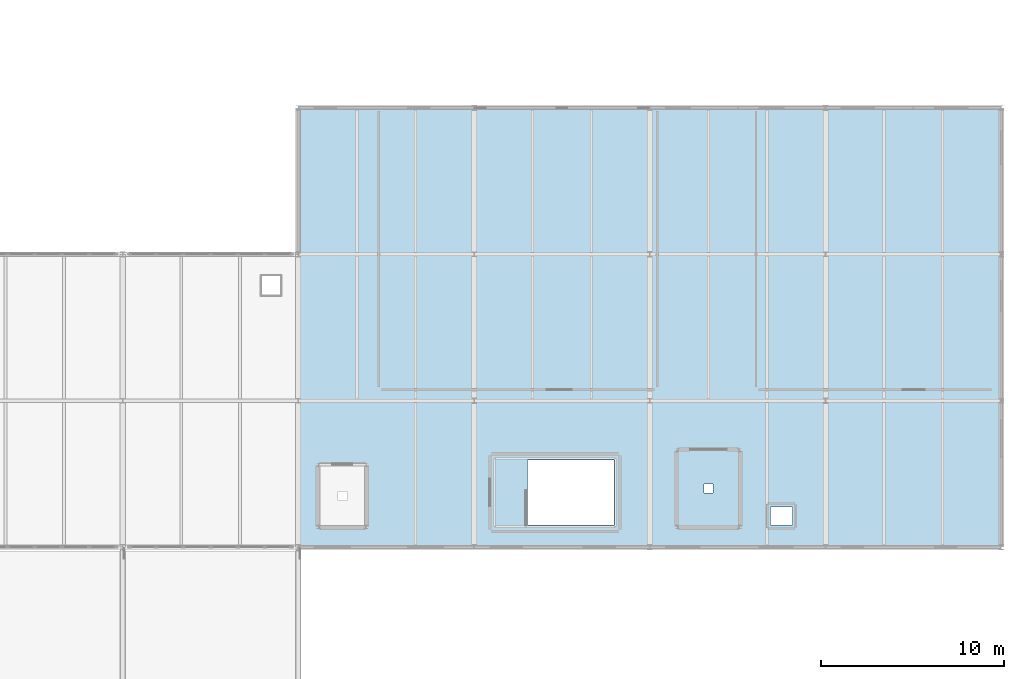
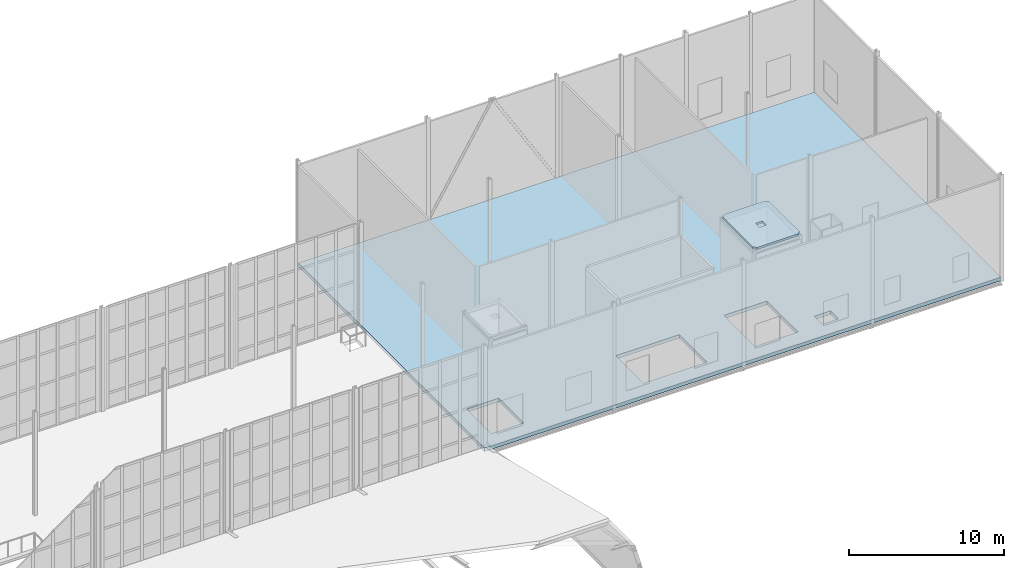
# One storey, part 57 of 73: 2 slabs.
"""IFC4 building model written with IfcOpenShell, lengths in metres."""

from ifc_helpers import new_model, si_unit, direction, frame, origin, place, context, subcontext, project, spatial, polyline, outline, extrude, material, layer, layer_set, type_object, element, save


model = new_model("IFC4")

# Units and contexts
model_context = context("Model", 3, precision=1e-05, world=origin(), true_north=direction((0.0, 1.0)))
body_context = subcontext(model_context, "Body", "Model", "MODEL_VIEW")
ifc_project = project(units=[si_unit("LENGTHUNIT", "METRE"), si_unit("AREAUNIT", "SQUARE_METRE"), si_unit("VOLUMEUNIT", "CUBIC_METRE"), si_unit("PLANEANGLEUNIT", "RADIAN"), si_unit("MASSUNIT", "GRAM", prefix="KILO")], contexts=[model_context])

# Site, building, storey
site_placement = place(None, origin())
site = spatial("IfcSite", under=ifc_project, at=site_placement, CompositionType="ELEMENT")
building_placement = place(site_placement, origin())
building = spatial("IfcBuilding", under=site, at=building_placement, Name="Alderhovde Museum", CompositionType="ELEMENT")
storey_placement = place(building_placement, frame((0.0, 0.0, 17.39990234375)))
storey = spatial("IfcBuildingStorey", under=building, at=storey_placement, Name="L04", CompositionType="ELEMENT", Elevation=17.39990234375)

# Slabs
ifc_material_1 = material(Name="Concrete C35/45", Category="concrete")
ifc_layer_1 = layer(ifc_material_1, 0.159912109375)
ifc_layer_set_1 = layer_set([ifc_layer_1], Name="Concrete C35/45")
slab_type_1 = type_object("IfcSlabType", Name="SLB-CAP-160", PredefinedType="ROOF", material=ifc_layer_set_1)
slab_1_placement = place(storey_placement, frame((0.0, 0.0, 7.66015625)))
element("IfcSlab", 1, at=slab_1_placement, inside=storey, type_object=slab_type_1, Name="Goods Lift Overrun Shaft Cap", PredefinedType="ROOF", context=body_context, shape_type="SweptSolid", body=[
    extrude(outline(polyline([(136.080078125, 73.06005859375), (139.1201171875, 73.06005859375), (139.340087890625, 73.280029296875), (139.340087890625, 77.1201171875), (139.1201171875, 77.340087890625), (136.080078125, 77.340087890625), (135.860107421875, 77.1201171875), (135.860107421875, 73.280029296875), (136.080078125, 73.06005859375)]), holes=[polyline([(137.35009765625, 74.949951171875), (137.85009765625, 74.949951171875), (137.85009765625, 75.449951171875), (137.35009765625, 75.449951171875), (137.35009765625, 74.949951171875)])]), origin(), (0.0, 0.0, 1.0), 0.159912109375),
])
ifc_material_2 = material(Name="Concrete C35/45", Category="concrete")
ifc_layer_2 = layer(ifc_material_2, 0.280029296875)
ifc_layer_set_2 = layer_set([ifc_layer_2], Name="Concrete C35/45")
slab_type_2 = type_object("IfcSlabType", Name="SLB-FLR-280", PredefinedType="FLOOR", material=ifc_layer_set_2)
slab_2_placement = place(storey_placement, frame((0.0, 0.0, -0.27978515625)))
element("IfcSlab", 2, at=slab_2_placement, inside=storey, type_object=slab_type_2, Name="L04 VOL5 Structural Slab", PredefinedType="FLOOR", context=body_context, shape_type="SweptSolid", body=[
    extrude(outline(polyline([(115.199951171875, 72.0), (153.60009765625, 72.0), (153.60009765625, 96.0), (115.199951171875, 96.0), (115.199951171875, 72.0)]), holes=[polyline([(127.7099609375, 73.199951171875), (132.43994140625, 73.199951171875), (132.43994140625, 76.760009765625), (127.7099609375, 76.760009765625), (127.7099609375, 73.199951171875)]), polyline([(116.39990234375, 73.199951171875), (118.800048828125, 73.199951171875), (118.800048828125, 76.39990234375), (116.39990234375, 76.39990234375), (116.39990234375, 73.199951171875)]), polyline([(136.0, 73.199951171875), (139.199951171875, 73.199951171875), (139.199951171875, 77.199951171875), (136.0, 77.199951171875), (136.0, 73.199951171875)]), polyline([(141.0, 73.199951171875), (142.199951171875, 73.199951171875), (142.199951171875, 74.199951171875), (141.0, 74.199951171875), (141.0, 73.199951171875)])]), origin(), (0.0, 0.0, 1.0), 0.27978515625),
])

save(model, "model.ifc")
